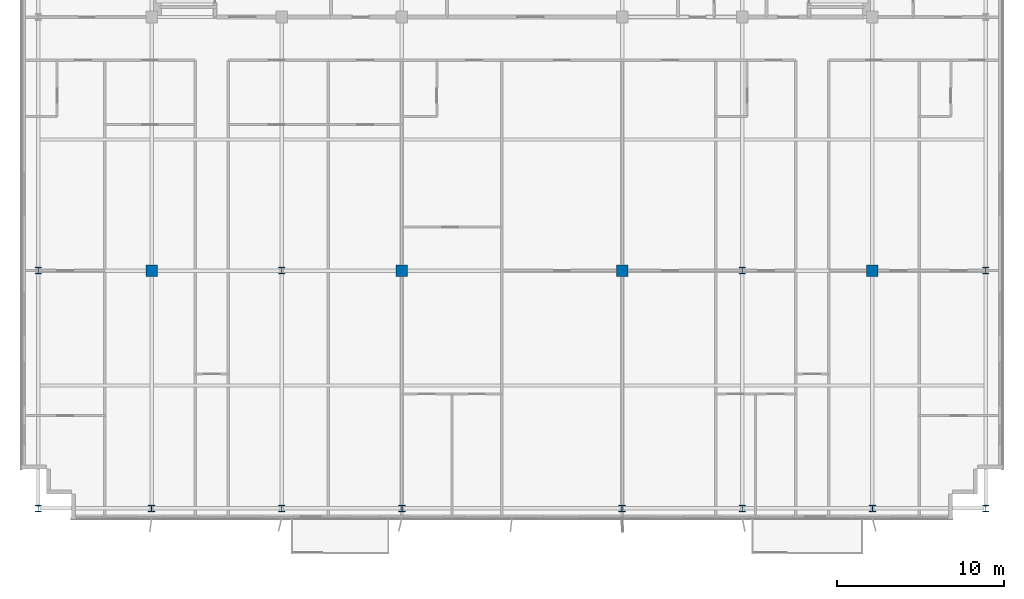
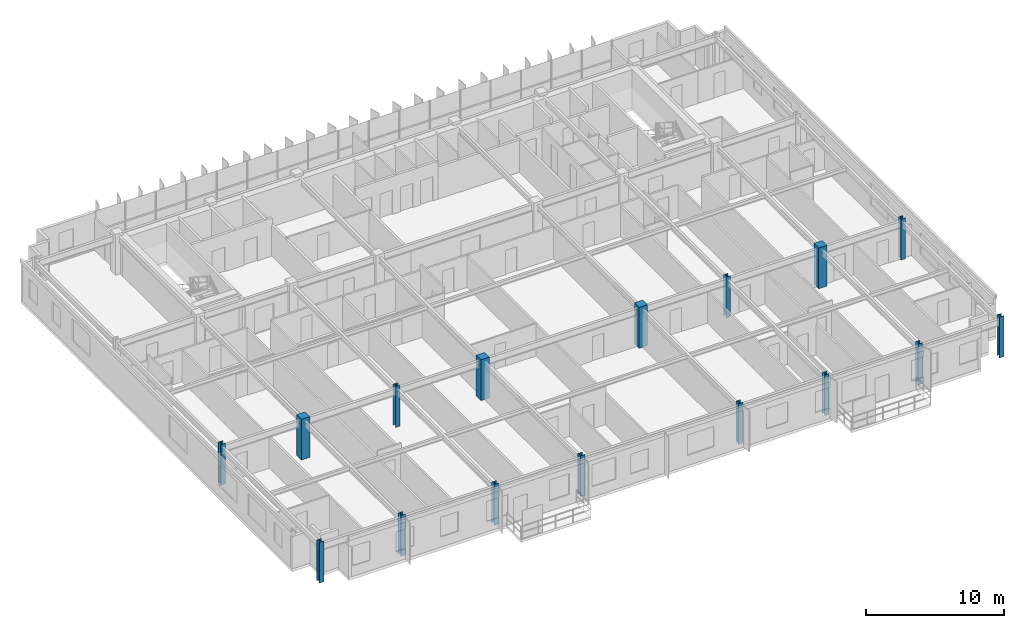
# One storey, part 1 of 21: 16 columns.
"""IFC4 building model written with IfcOpenShell, lengths in metres."""

from ifc_helpers import new_model, si_unit, direction, frame, origin, origin_2d, place, context, subcontext, project, spatial, rectangle, i_section, extrude, source, transform, mapped, material, material_profile, profile_set, type_object, element, save


model = new_model("IFC4")

# Units and contexts
model_context = context("Model", 3, precision=1e-05, world=origin(), true_north=direction((0.0, 1.0)))
body_context = subcontext(model_context, "Body", "Model", "MODEL_VIEW")
ifc_project = project(units=[si_unit("LENGTHUNIT", "METRE"), si_unit("AREAUNIT", "SQUARE_METRE"), si_unit("VOLUMEUNIT", "CUBIC_METRE"), si_unit("PLANEANGLEUNIT", "RADIAN"), si_unit("MASSUNIT", "GRAM", prefix="KILO")], contexts=[model_context])

# Site, building, storey
site_placement = place(None, origin())
site = spatial("IfcSite", under=ifc_project, at=site_placement, CompositionType="ELEMENT")
building_placement = place(site_placement, origin())
building = spatial("IfcBuilding", under=site, at=building_placement, Name="Trelvane Seafront Commons", CompositionType="ELEMENT")
storey_placement = place(building_placement, frame((0.0, 0.0, 153.699951171875)))
storey = spatial("IfcBuildingStorey", under=building, at=storey_placement, Name="L40", CompositionType="ELEMENT", Elevation=153.699951171875)

# Columns
ifc_material_1 = material(Name="Steel SM355 (S355)", Category="steel")
ifc_material_profile_1 = material_profile(ifc_material_1, i_section(OverallWidth=0.3798828125, OverallDepth=0.3798828125, WebThickness=0.02001953125, FlangeThickness=0.030029296875, at=origin_2d()), Name="HD-380x380x20x30")
ifc_profile_set_1 = profile_set([ifc_material_profile_1], Name="Steel SM355 (S355)")
column_type_1 = type_object("IfcColumnType", Name="STR-COL-HD380", PredefinedType="COLUMN", material=ifc_profile_set_1)
shared_shape_1 = source(origin(), body_context, "Body", "SweptSolid", [
    extrude(i_section(OverallWidth=0.3798828125, OverallDepth=0.3798828125, WebThickness=0.02001953125, FlangeThickness=0.030029296875, at=origin_2d()), origin(), (0.0, 0.0, 1.0), 3.60009765625),
])
for number, where, z_axis, x_axis, name in (
    (1, (8.800048828125, 3.949951171875, 0.0), (0.0, 0.0, 1.0), (1.0, 0.0, 0.0), "L40 Column TC-S8.8"),
    (2, (8.800048828125, 18.199951171875, 0.0), (0.0, 0.0, 1.0), (1.0, 0.0, 0.0), "L40 Column TC-M8.8"),
    (3, (15.60009765625, 3.949951171875, 0.0), (0.0, 0.0, 1.0), (1.0, 0.0, 0.0), "L40 Column TC-S15.6"),
    (4, (23.39990234375, 3.949951171875, 0.0), (0.0, 0.0, 1.0), (1.0, 0.0, 0.0), "L40 Column TC-S23.4"),
    (5, (23.39990234375, 18.199951171875, 0.0), (0.0, 0.0, 1.0), (1.0, 0.0, 0.0), "L40 Column TC-M23.4"),
    (6, (30.60009765625, 3.949951171875, 0.0), (0.0, 0.0, 1.0), (1.0, 0.0, 0.0), "L40 Column TC-S30.6"),
    (7, (43.800048828125, 3.949951171875, 0.0), (0.0, 0.0, 1.0), (1.0, 0.0, 0.0), "L40 Column TC-S43.8"),
    (8, (51.0, 3.949951171875, 0.0), (0.0, 0.0, 1.0), (1.0, 0.0, 0.0), "L40 Column TC-S51.0"),
    (9, (51.0, 18.199951171875, 0.0), (0.0, 0.0, 1.0), (1.0, 0.0, 0.0), "L40 Column TC-M51.0"),
    (10, (58.800048828125, 3.949951171875, 0.0), (0.0, 0.0, 1.0), (1.0, 0.0, 0.0), "L40 Column TC-S58.8"),
    (11, (65.60009765625, 3.949951171875, 0.0), (0.0, 0.0, 1.0), (1.0, 0.0, 0.0), "L40 Column TC-S65.6"),
    (12, (65.60009765625, 18.199951171875, 0.0), (0.0, 0.0, 1.0), (1.0, 0.0, 0.0), "L40 Column TC-M65.6"),
):
    element("IfcColumn", number, at=place(storey_placement, frame(where, z_axis=z_axis, x_axis=x_axis)), inside=storey, type_object=column_type_1, Name=name, PredefinedType="COLUMN", context=body_context, shape_type="MappedRepresentation", body=[
        mapped(shared_shape_1, transform((0.0, 0.0, 0.0), x_axis=(1.0, 0.0, 0.0), y_axis=(0.0, 1.0, 0.0), z_axis=(0.0, 0.0, 1.0), scale=1.0)),
    ])
ifc_material_2 = material(Name="Concrete C50/60", Category="concrete")
ifc_material_profile_2 = material_profile(ifc_material_2, rectangle(XDim=0.699951171875, YDim=0.699951171875, at=origin_2d()), Name="RC-700x700")
ifc_profile_set_2 = profile_set([ifc_material_profile_2], Name="Concrete C50/60")
column_type_2 = type_object("IfcColumnType", Name="STR-COL-RC700", PredefinedType="COLUMN", material=ifc_profile_set_2)
shared_shape_2 = source(origin(), body_context, "Body", "SweptSolid", [
    extrude(rectangle(XDim=0.699951171875, YDim=0.699951171875, at=origin_2d()), origin(), (0.0, 0.0, 1.0), 3.60009765625),
])
for number, where, z_axis, x_axis, name in (
    (13, (15.60009765625, 18.199951171875, 0.0), (0.0, 0.0, 1.0), (1.0, 0.0, 0.0), "L40 Column TC-M15.6"),
    (14, (30.60009765625, 18.199951171875, 0.0), (0.0, 0.0, 1.0), (1.0, 0.0, 0.0), "L40 Column TC-M30.6"),
    (15, (43.800048828125, 18.199951171875, 0.0), (0.0, 0.0, 1.0), (1.0, 0.0, 0.0), "L40 Column TC-M43.8"),
    (16, (58.800048828125, 18.199951171875, 0.0), (0.0, 0.0, 1.0), (1.0, 0.0, 0.0), "L40 Column TC-M58.8"),
):
    element("IfcColumn", number, at=place(storey_placement, frame(where, z_axis=z_axis, x_axis=x_axis)), inside=storey, type_object=column_type_2, Name=name, PredefinedType="COLUMN", context=body_context, shape_type="MappedRepresentation", body=[
        mapped(shared_shape_2, transform((0.0, 0.0, 0.0), x_axis=(1.0, 0.0, 0.0), y_axis=(0.0, 1.0, 0.0), z_axis=(0.0, 0.0, 1.0), scale=1.0)),
    ])

save(model, "model.ifc")
